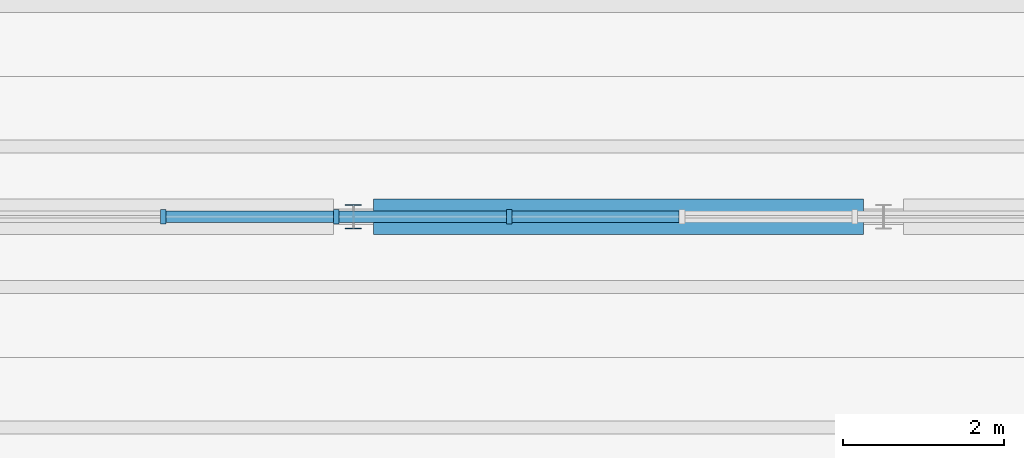
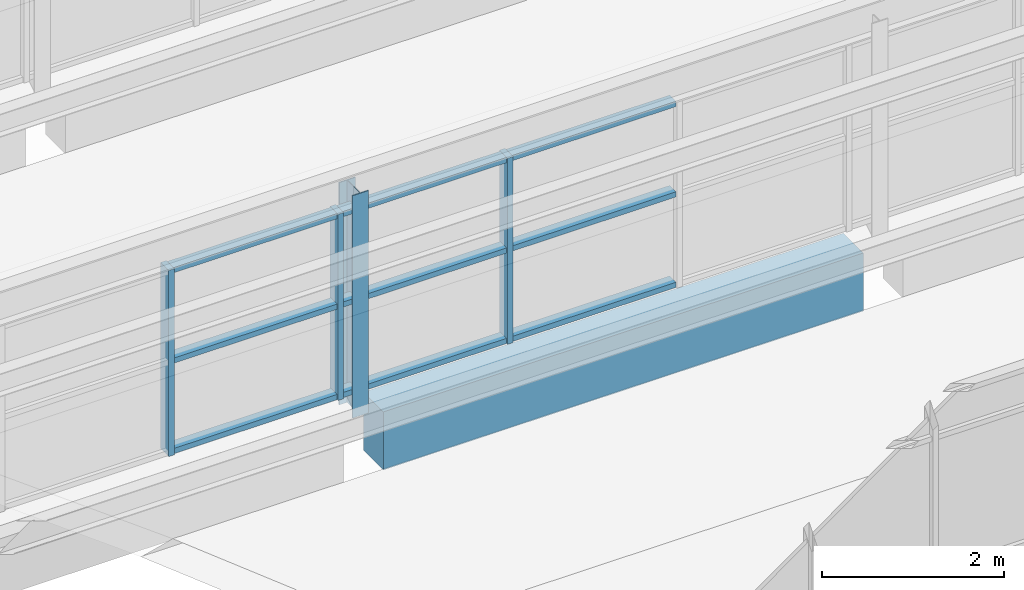
# One storey, part 24 of 92: 13 members, 1 beam, 1 element without a shape of its own.
"""IFC4 building model written with IfcOpenShell, lengths in metres."""

from ifc_helpers import new_model, si_unit, direction, frame, origin, origin_2d, place, context, subcontext, project, spatial, rectangle, i_section, extrude, material, material_profile, profile_set, type_object, element, aggregate, save


model = new_model("IFC4")

# Units and contexts
model_context = context("Model", 3, precision=1e-05, world=origin(), true_north=direction((0.0, 1.0)))
body_context = subcontext(model_context, "Body", "Model", "MODEL_VIEW")
ifc_project = project(units=[si_unit("LENGTHUNIT", "METRE"), si_unit("AREAUNIT", "SQUARE_METRE"), si_unit("VOLUMEUNIT", "CUBIC_METRE"), si_unit("PLANEANGLEUNIT", "RADIAN"), si_unit("MASSUNIT", "GRAM", prefix="KILO")], contexts=[model_context])

# Site, building, storey
site_placement = place(None, origin())
site = spatial("IfcSite", under=ifc_project, at=site_placement, CompositionType="ELEMENT")
building_placement = place(site_placement, origin())
building = spatial("IfcBuilding", under=site, at=building_placement, Name="Ciguamira Faculty of Natural Sciences", CompositionType="ELEMENT")
storey_placement = place(building_placement, frame((0.0, 0.0, 16.800048828125)))
storey = spatial("IfcBuildingStorey", under=building, at=storey_placement, Name="L04", CompositionType="ELEMENT", Elevation=16.800048828125)

# Curtain wall, members
ifc_material_1 = material(Name="Anodized aluminium curtain wall", Category="aluminium")
curtain_wall_type = type_object("IfcCurtainWallType", Name="CurtainWall_CW-02", PredefinedType="USERDEFINED", material=ifc_material_1)
curtain_wall_placement = place(storey_placement, origin())
curtain_wall = element("IfcCurtainWall", 1, at=curtain_wall_placement, inside=storey, type_object=curtain_wall_type, Name="V4 north-light wave 1 clerestory glazing 1", ObjectType="UNITISED CURTAIN WALL", PredefinedType="USERDEFINED")
ifc_material_2 = material(Name="Anodized aluminium mullion", Category="aluminium")
ifc_material_profile_1 = material_profile(ifc_material_2, rectangle(XDim=0.070068359375, YDim=0.179931640625, at=origin_2d()), Name="ALU-MUL-70X180")
ifc_profile_set_1 = profile_set([ifc_material_profile_1], Name="Anodized aluminium mullion")
member_type_1 = type_object("IfcMemberType", Name="CWMullion_CWM-02", PredefinedType="MULLION", material=ifc_profile_set_1)
member_1_placement = place(storey_placement, frame((94.533447265625, 45.0, 0.25), z_axis=(0.0, 0.0, 1.0), x_axis=(1.0, 0.0, 0.0)))
member_1 = element("IfcMember", 2, at=member_1_placement, type_object=member_type_1, Name="CW-02 mullion 15", PredefinedType="MULLION", context=body_context, shape_type="SweptSolid", body=[
    extrude(rectangle(XDim=0.070068359375, YDim=0.179931640625, at=origin_2d()), origin(), (0.0, 0.0, 1.0), 2.5),
])
member_2_placement = place(storey_placement, frame((96.685791015625, 45.0, 0.25), z_axis=(0.0, 0.0, 1.0), x_axis=(1.0, 0.0, 0.0)))
member_2 = element("IfcMember", 3, at=member_2_placement, type_object=member_type_1, Name="CW-02 mullion 16", PredefinedType="MULLION", context=body_context, shape_type="SweptSolid", body=[
    extrude(rectangle(XDim=0.070068359375, YDim=0.179931640625, at=origin_2d()), origin(), (0.0, 0.0, 1.0), 2.5),
])
member_3_placement = place(storey_placement, frame((98.838134765625, 45.0, 0.25), z_axis=(0.0, 0.0, 1.0), x_axis=(1.0, 0.0, 0.0)))
member_3 = element("IfcMember", 4, at=member_3_placement, type_object=member_type_1, Name="CW-02 mullion 17", PredefinedType="MULLION", context=body_context, shape_type="SweptSolid", body=[
    extrude(rectangle(XDim=0.070068359375, YDim=0.179931640625, at=origin_2d()), origin(), (0.0, 0.0, 1.0), 2.5),
])
ifc_material_3 = material(Name="Anodized aluminium transom", Category="aluminium")
ifc_material_profile_2 = material_profile(ifc_material_3, rectangle(XDim=0.070068359375, YDim=0.139892578125, at=origin_2d()), Name="ALU-TRN-70X140")
ifc_profile_set_2 = profile_set([ifc_material_profile_2], Name="Anodized aluminium transom")
member_type_2 = type_object("IfcMemberType", Name="CWTransom_CWT-02", PredefinedType="USERDEFINED", material=ifc_profile_set_2)
member_4_placement = place(storey_placement, frame((94.568359375, 45.0, 0.284912109375), z_axis=(1.0, 0.0, 0.0), x_axis=(0.0, 0.0, 1.0)))
member_4 = element("IfcMember", 5, at=member_4_placement, type_object=member_type_2, Name="CW-02 transom 15.1", ObjectType="TRANSOM", PredefinedType="USERDEFINED", context=body_context, shape_type="SweptSolid", body=[
    extrude(rectangle(XDim=0.070068359375, YDim=0.139892578125, at=origin_2d()), origin(), (0.0, 0.0, 1.0), 2.082275390625),
])
member_5_placement = place(storey_placement, frame((94.568359375, 45.0, 1.5), z_axis=(1.0, 0.0, 0.0), x_axis=(0.0, 0.0, 1.0)))
member_5 = element("IfcMember", 6, at=member_5_placement, type_object=member_type_2, Name="CW-02 transom 15.2", ObjectType="TRANSOM", PredefinedType="USERDEFINED", context=body_context, shape_type="SweptSolid", body=[
    extrude(rectangle(XDim=0.070068359375, YDim=0.139892578125, at=origin_2d()), origin(), (0.0, 0.0, 1.0), 2.082275390625),
])
member_6_placement = place(storey_placement, frame((94.568359375, 45.0, 2.71484375), z_axis=(1.0, 0.0, 0.0), x_axis=(0.0, 0.0, 1.0)))
member_6 = element("IfcMember", 7, at=member_6_placement, type_object=member_type_2, Name="CW-02 transom 15.3", ObjectType="TRANSOM", PredefinedType="USERDEFINED", context=body_context, shape_type="SweptSolid", body=[
    extrude(rectangle(XDim=0.070068359375, YDim=0.139892578125, at=origin_2d()), origin(), (0.0, 0.0, 1.0), 2.082275390625),
])
member_7_placement = place(storey_placement, frame((96.720703125, 45.0, 0.284912109375), z_axis=(1.0, 0.0, 0.0), x_axis=(0.0, 0.0, 1.0)))
member_7 = element("IfcMember", 8, at=member_7_placement, type_object=member_type_2, Name="CW-02 transom 16.1", ObjectType="TRANSOM", PredefinedType="USERDEFINED", context=body_context, shape_type="SweptSolid", body=[
    extrude(rectangle(XDim=0.070068359375, YDim=0.139892578125, at=origin_2d()), origin(), (0.0, 0.0, 1.0), 2.082275390625),
])
member_8_placement = place(storey_placement, frame((96.720703125, 45.0, 1.5), z_axis=(1.0, 0.0, 0.0), x_axis=(0.0, 0.0, 1.0)))
member_8 = element("IfcMember", 9, at=member_8_placement, type_object=member_type_2, Name="CW-02 transom 16.2", ObjectType="TRANSOM", PredefinedType="USERDEFINED", context=body_context, shape_type="SweptSolid", body=[
    extrude(rectangle(XDim=0.070068359375, YDim=0.139892578125, at=origin_2d()), origin(), (0.0, 0.0, 1.0), 2.082275390625),
])
member_9_placement = place(storey_placement, frame((96.720703125, 45.0, 2.71484375), z_axis=(1.0, 0.0, 0.0), x_axis=(0.0, 0.0, 1.0)))
member_9 = element("IfcMember", 10, at=member_9_placement, type_object=member_type_2, Name="CW-02 transom 16.3", ObjectType="TRANSOM", PredefinedType="USERDEFINED", context=body_context, shape_type="SweptSolid", body=[
    extrude(rectangle(XDim=0.070068359375, YDim=0.139892578125, at=origin_2d()), origin(), (0.0, 0.0, 1.0), 2.082275390625),
])
member_10_placement = place(storey_placement, frame((98.873046875, 45.0, 0.284912109375), z_axis=(1.0, 0.0, 0.0), x_axis=(0.0, 0.0, 1.0)))
member_10 = element("IfcMember", 11, at=member_10_placement, type_object=member_type_2, Name="CW-02 transom 17.1", ObjectType="TRANSOM", PredefinedType="USERDEFINED", context=body_context, shape_type="SweptSolid", body=[
    extrude(rectangle(XDim=0.070068359375, YDim=0.139892578125, at=origin_2d()), origin(), (0.0, 0.0, 1.0), 2.08251953125),
])
member_11_placement = place(storey_placement, frame((98.873046875, 45.0, 1.5), z_axis=(1.0, 0.0, 0.0), x_axis=(0.0, 0.0, 1.0)))
member_11 = element("IfcMember", 12, at=member_11_placement, type_object=member_type_2, Name="CW-02 transom 17.2", ObjectType="TRANSOM", PredefinedType="USERDEFINED", context=body_context, shape_type="SweptSolid", body=[
    extrude(rectangle(XDim=0.070068359375, YDim=0.139892578125, at=origin_2d()), origin(), (0.0, 0.0, 1.0), 2.08251953125),
])
member_12_placement = place(storey_placement, frame((98.873046875, 45.0, 2.71484375), z_axis=(1.0, 0.0, 0.0), x_axis=(0.0, 0.0, 1.0)))
member_12 = element("IfcMember", 13, at=member_12_placement, type_object=member_type_2, Name="CW-02 transom 17.3", ObjectType="TRANSOM", PredefinedType="USERDEFINED", context=body_context, shape_type="SweptSolid", body=[
    extrude(rectangle(XDim=0.070068359375, YDim=0.139892578125, at=origin_2d()), origin(), (0.0, 0.0, 1.0), 2.08251953125),
])
aggregate(curtain_wall, [member_1, member_2, member_3, member_4, member_5, member_6, member_7, member_8, member_9, member_10, member_11, member_12])

# Beam
ifc_material_4 = material(Name="Concrete C40/50", Category="concrete")
ifc_material_profile_3 = material_profile(ifc_material_4, rectangle(XDim=0.43994140625, YDim=0.780029296875, at=origin_2d()), Name="RC-BM-440X780")
ifc_profile_set_3 = profile_set([ifc_material_profile_3], Name="Concrete C40/50")
beam_type = type_object("IfcBeamType", Name="RCBeam_BG-06_RC-BM-440X780", PredefinedType="BEAM", material=ifc_profile_set_3)
beam_placement = place(storey_placement, frame((97.14990234375, 45.0, -0.39013671875), z_axis=(1.0, 0.0, 0.0), x_axis=(0.0, 1.0, 0.0)))
element("IfcBeam", 14, at=beam_placement, inside=storey, type_object=beam_type, Name="V4 north-light wave 1 RC valley beam NVL-1-6", PredefinedType="BEAM", context=body_context, shape_type="SweptSolid", body=[
    extrude(rectangle(XDim=0.43994140625, YDim=0.780029296875, at=origin_2d()), origin(), (0.0, 0.0, 1.0), 6.10009765625),
])

# Member
ifc_material_5 = material(Name="Steel ASTM A992 Grade 50", Category="steel")
ifc_material_profile_4 = material_profile(ifc_material_5, i_section(OverallWidth=0.20458984375, OverallDepth=0.307373046875, WebThickness=0.008544921875, FlangeThickness=0.0146484375, at=origin_2d()), Name="W12X45")
ifc_profile_set_4 = profile_set([ifc_material_profile_4], Name="Steel ASTM A992 Grade 50")
member_type_3 = type_object("IfcMemberType", Name="SteelMember_TS-01_W12X45", PredefinedType="STRUT", material=ifc_profile_set_4)
member_13_placement = place(storey_placement, frame((96.89990234375, 45.0, 0.0), z_axis=(0.0, 0.0, 1.0), x_axis=(1.0, 0.0, 0.0)))
element("IfcMember", 15, at=member_13_placement, inside=storey, type_object=member_type_3, Name="V4 north-light wave 1 clerestory post 97", PredefinedType="STRUT", context=body_context, shape_type="SweptSolid", body=[
    extrude(i_section(OverallWidth=0.20458984375, OverallDepth=0.307373046875, WebThickness=0.008544921875, FlangeThickness=0.0146484375, at=origin_2d()), origin(), (0.0, 0.0, 1.0), 2.986328125),
])

save(model, "model.ifc")
